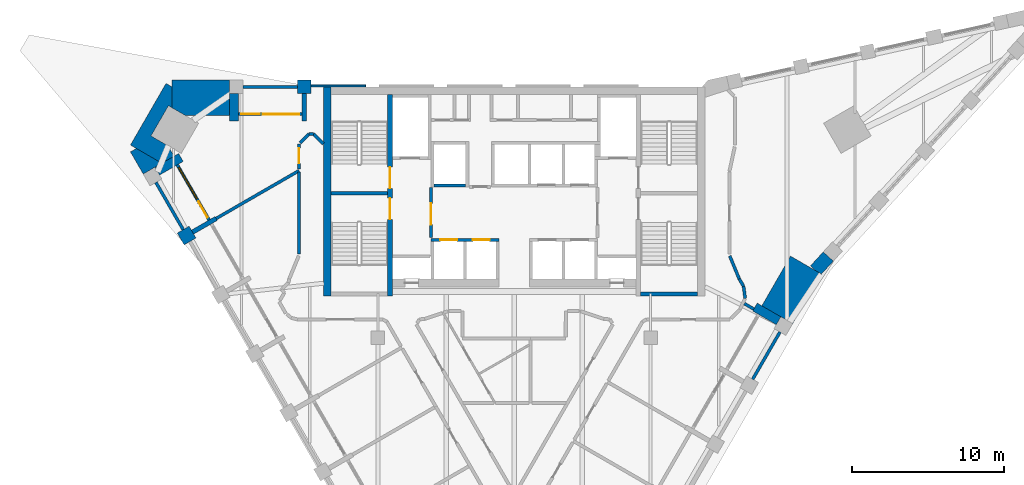
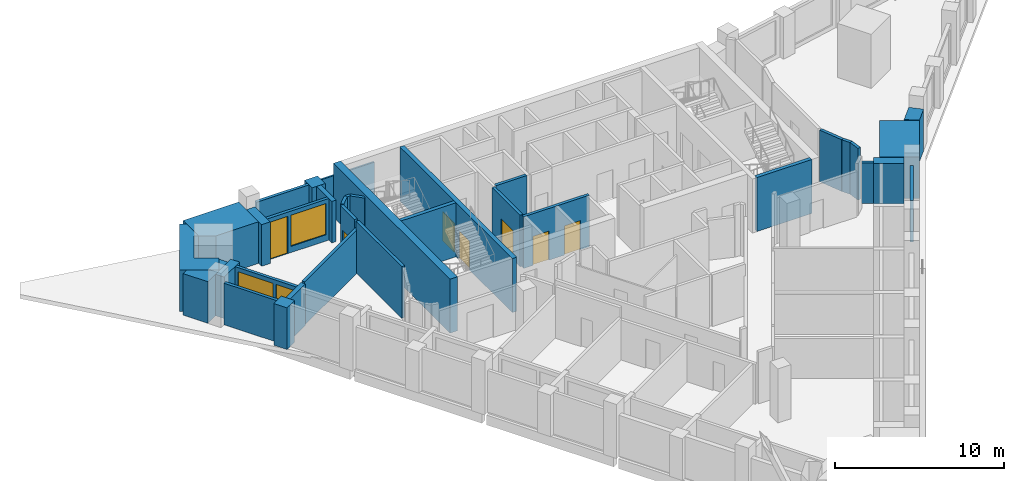
# One storey, part 5 of 9: 35 walls, 8 doors, 2 windows, 10 openings.
"""IFC4 building model written with IfcOpenShell, lengths in metres."""

from ifc_helpers import new_model, si_unit, direction, frame, frame_2d, origin, place, context, subcontext, project, spatial, polyline, rectangle, outline, extrude, material, layer, layer_set, type_object, element, fill, save


model = new_model("IFC4")

# Units and contexts
model_context = context("Model", 3, precision=1e-05, world=origin(), true_north=direction((0.0, 1.0)))
body_context = subcontext(model_context, "Body", "Model", "MODEL_VIEW")
ifc_project = project(units=[si_unit("LENGTHUNIT", "METRE"), si_unit("AREAUNIT", "SQUARE_METRE"), si_unit("VOLUMEUNIT", "CUBIC_METRE"), si_unit("PLANEANGLEUNIT", "RADIAN"), si_unit("MASSUNIT", "GRAM", prefix="KILO")], contexts=[model_context])

# Site, building, storey
site_placement = place(None, origin())
site = spatial("IfcSite", under=ifc_project, at=site_placement, CompositionType="ELEMENT")
building_placement = place(site_placement, origin())
building = spatial("IfcBuilding", under=site, at=building_placement, Name="Calabash Gate Tower", CompositionType="ELEMENT")
storey_placement = place(building_placement, frame((0.0, 0.0, 248.199951171875)))
storey = spatial("IfcBuildingStorey", under=building, at=storey_placement, Name="L59", CompositionType="ELEMENT", Elevation=248.199951171875)

# Walls
ifc_material_1 = material(Name="Terracotta brick masonry, exposed face", Category="masonry")
ifc_layer_1 = layer(ifc_material_1, 2.35009765625)
ifc_layer_set_1 = layer_set([ifc_layer_1], Name="Brick corner mass wall 2350")
wall_type_1 = type_object("IfcWallType", Name="Brick corner mass wall 2350", PredefinedType="SOLIDWALL", material=ifc_layer_set_1)
wall_1_placement = place(storey_placement, origin())
element("IfcWall", 1, at=wall_1_placement, inside=storey, type_object=wall_type_1, Name="Brick corner pier S17 2", PredefinedType="SOLIDWALL", context=body_context, shape_type="SweptSolid", body=[
    extrude(outline(polyline([(18.377685546875, 3.423828125), (18.377685546875, 3.423583984375), (18.377685546875, 3.423583984375), (20.271240234375, 6.703125), (18.236083984375, 7.878173828125), (16.342529296875, 4.5986328125), (17.598388671875, 3.873779296875), (17.598388671875, 3.873779296875), (18.377685546875, 3.423828125)])), origin(), (0.0, 0.0, 1.0), 2.9736328125),
])
wall_2_placement = place(storey_placement, origin())
element("IfcWall", 2, at=wall_2_placement, inside=storey, type_object=wall_type_1, Name="Brick corner pier S17 3a", PredefinedType="SOLIDWALL", context=body_context, shape_type="SweptSolid", body=[
    extrude(outline(polyline([(-21.698974609375, 17.152587890625), (-18.805419921875, 17.152587890625), (-18.805419921875, 19.50244140625), (-22.59228515625, 19.50244140625), (-22.59228515625, 17.66845703125), (-21.698974609375, 17.152587890625)])), origin(), (0.0, 0.0, 1.0), 3.0),
])
wall_3_placement = place(storey_placement, origin())
element("IfcWall", 3, at=wall_3_placement, inside=storey, type_object=wall_type_1, Name="Brick corner pier S17 3b", PredefinedType="SOLIDWALL", context=body_context, shape_type="SweptSolid", body=[
    extrude(outline(polyline([(-22.822021484375, 17.801025390625), (-22.59228515625, 17.66845703125), (-22.59228515625, 19.052490234375), (-22.98193359375, 19.277587890625), (-25.331298828125, 15.20849609375), (-23.296142578125, 14.033447265625), (-22.6962890625, 15.072509765625), (-23.971923828125, 15.80908203125), (-22.822021484375, 17.801025390625)])), origin(), (0.0, 0.0, 1.0), 3.0),
])
wall_4_placement = place(storey_placement, origin())
element("IfcWall", 4, at=wall_4_placement, inside=storey, type_object=wall_type_1, Name="Brick corner pier S17 3c", PredefinedType="SOLIDWALL", context=body_context, shape_type="SweptSolid", body=[
    extrude(outline(polyline([(-22.747802734375, 14.9833984375), (-23.296142578125, 14.033447265625), (-24.941650390625, 14.9833984375), (-25.331298828125, 14.758544921875), (-24.487548828125, 13.296875), (-22.452392578125, 14.471923828125), (-22.747802734375, 14.9833984375)])), origin(), (0.0, 0.0, 1.0), 3.0),
])
ifc_material_2 = material(Name="Terracotta brick masonry, exposed face", Category="masonry")
ifc_layer_2 = layer(ifc_material_2, 0.89990234375)
ifc_layer_set_2 = layer_set([ifc_layer_2], Name="Brick end wall 900")
wall_type_2 = type_object("IfcWallType", Name="Brick end wall 900", PredefinedType="SOLIDWALL", material=ifc_layer_set_2)
wall_5_placement = place(storey_placement, frame((-21.39794921875, 8.845458984375, 0.0), z_axis=(0.0, 0.0, 1.0), x_axis=(-0.50001992892, 0.866013897511, 0.0)))
element("IfcWall", 5, at=wall_5_placement, inside=storey, type_object=wall_type_2, Name="Brick pier S17 SW0.1", PredefinedType="SOLIDWALL", context=body_context, shape_type="SweptSolid", body=[
    extrude(rectangle(XDim=0.89990234375, YDim=0.89990234375, at=frame_2d((0.449951171875, 0.0))), origin(), (0.0, 0.0, 1.0), 3.0),
])
wall_6_placement = place(storey_placement, origin())
element("IfcWall", 6, at=wall_6_placement, inside=storey, type_object=wall_type_2, Name="Brick pier S17 N6.5", PredefinedType="SOLIDWALL", context=body_context, shape_type="SweptSolid", body=[
    extrude(outline(polyline([(-13.405517578125, 19.50244140625), (-14.305419921875, 19.50244140625), (-14.305419921875, 18.6025390625), (-13.405517578125, 18.6025390625), (-13.405517578125, 19.50244140625)])), origin(), (0.0, 0.0, 1.0), 3.0),
])
wall_7_placement = place(storey_placement, origin())
element("IfcWall", 7, at=wall_7_placement, inside=storey, type_object=wall_type_2, Name="Brick end wall S17 1", PredefinedType="SOLIDWALL", context=body_context, shape_type="SweptSolid", body=[
    extrude(outline(polyline([(20.394775390625, 8.15625), (19.54931640625, 7.23193359375), (19.88134765625, 6.92822265625), (20.271240234375, 6.703125), (20.24658203125, 6.66064453125), (21.058837890625, 7.548828125), (20.394775390625, 8.15625)])), origin(), (0.0, 0.0, 1.0), 3.0),
])
ifc_material_3 = material(Name="Terracotta brick masonry, exposed face", Category="masonry")
ifc_layer_3 = layer(ifc_material_3, 0.300048828125)
ifc_layer_set_3 = layer_set([ifc_layer_3], Name="Brick loggia cheek wall 300")
wall_type_3 = type_object("IfcWallType", Name="Brick loggia cheek wall 300", PredefinedType="SOLIDWALL", material=ifc_layer_set_3)
wall_8_placement = place(storey_placement, frame((-23.55810546875, 13.487060546875, 0.0), z_axis=(0.0, 0.0, 1.0), x_axis=(0.865989075817, 0.500062916607, 0.0)))
element("IfcWall", 8, at=wall_8_placement, inside=storey, type_object=wall_type_3, Name="Loggia cheek S17 SW0.0", PredefinedType="SOLIDWALL", context=body_context, shape_type="SweptSolid", body=[
    extrude(rectangle(XDim=1.800048828125, YDim=0.60009765625, at=frame_2d((0.89990234375, 0.0))), origin(), (0.0, 0.0, 1.0), 3.0),
])
wall_9_placement = place(storey_placement, frame((-21.233154296875, 9.460205078125, 0.0), z_axis=(0.0, 0.0, 1.0), x_axis=(0.866047807691, 0.499961193289, 0.0)))
element("IfcWall", 9, at=wall_9_placement, inside=storey, type_object=wall_type_3, Name="Loggia cheek S17 SW0.1", PredefinedType="SOLIDWALL", context=body_context, shape_type="SweptSolid", body=[
    extrude(rectangle(XDim=1.800048828125, YDim=0.300048828125, at=frame_2d((0.89990234375, 0.0))), origin(), (0.0, 0.0, 1.0), 3.0),
])
wall_10_placement = place(storey_placement, frame((17.4482421875, 3.61376953125, 0.0), z_axis=(0.0, 0.0, 1.0), x_axis=(-0.865989075817, 0.500062916607, 0.0)))
element("IfcWall", 10, at=wall_10_placement, inside=storey, type_object=wall_type_3, Name="Loggia cheek S17 SE2.6", PredefinedType="SOLIDWALL", context=body_context, shape_type="SweptSolid", body=[
    extrude(rectangle(XDim=1.800048828125, YDim=0.60009765625, at=frame_2d((0.89990234375, 0.0))), origin(), (0.0, 0.0, 1.0), 2.9501953125),
])
wall_11_placement = place(storey_placement, origin())
element("IfcWall", 11, at=wall_11_placement, inside=storey, type_object=wall_type_3, Name="Loggia cheek S17 N6.5", PredefinedType="SOLIDWALL", context=body_context, shape_type="SweptSolid", body=[
    extrude(outline(polyline([(-13.705322265625, 16.802490234375), (-13.705322265625, 18.6025390625), (-14.00537109375, 18.6025390625), (-14.00537109375, 16.802490234375), (-13.705322265625, 16.802490234375)])), origin(), (0.0, 0.0, 1.0), 3.0),
])
wall_12_placement = place(storey_placement, origin())
element("IfcWall", 12, at=wall_12_placement, inside=storey, type_object=wall_type_3, Name="Loggia cheek S17 N6.6", PredefinedType="SOLIDWALL", context=body_context, shape_type="SweptSolid", body=[
    extrude(outline(polyline([(-18.805419921875, 18.6025390625), (-18.805419921875, 16.802490234375), (-18.205322265625, 16.802490234375), (-18.205322265625, 18.6025390625), (-18.805419921875, 18.6025390625)])), origin(), (0.0, 0.0, 1.0), 3.0),
])
ifc_material_4 = material(Name="Concrete C60/75", Category="concrete")
ifc_layer_4 = layer(ifc_material_4, 0.25)
ifc_layer_set_4 = layer_set([ifc_layer_4], Name="Core wall 250 Concrete C60/75")
wall_type_4 = type_object("IfcWallType", Name="Core wall 250 Concrete C60/75", PredefinedType="SHEAR", material=ifc_layer_set_4)
for number, where, z_axis, x_axis, name in (
    (13, (-12.10009765625, 12.027587890625, 0.0), (0.0, 0.0, 1.0), (1.0, 0.0, 0.0), "Core wall Z5-MIDW L59"),
    (14, (8.35009765625, 5.377685546875, 0.0), (0.0, 0.0, 1.0), (1.0, 0.0, 0.0), "Core wall Z5-SSE L59"),
):
    element("IfcWall", number, at=place(storey_placement, frame(where, z_axis=z_axis, x_axis=x_axis)), inside=storey, type_object=wall_type_4, Name=name, PredefinedType="SHEAR", context=body_context, shape_type="SweptSolid", body=[
        extrude(rectangle(XDim=3.75, YDim=0.25, at=frame_2d((1.875, 0.0))), origin(), (0.0, 0.0, 1.0), 3.900146484375),
    ])

# Wall, openings, doors
ifc_material_5 = material(Name="Concrete C60/75", Category="concrete")
ifc_layer_5 = layer(ifc_material_5, 0.300048828125)
ifc_layer_set_5 = layer_set([ifc_layer_5], Name="Core wall 300 Concrete C60/75")
wall_type_5 = type_object("IfcWallType", Name="Core wall 300 Concrete C60/75", PredefinedType="SHEAR", material=ifc_layer_set_5)
wall_13_placement = place(storey_placement, frame((-8.199951171875, 5.252685546875, 0.0), z_axis=(0.0, 0.0, 1.0), x_axis=(0.0, 1.0, 0.0)))
wall_13 = element("IfcWall", 15, at=wall_13_placement, inside=storey, type_object=wall_type_5, Name="Core wall Z5-PARTW L59", PredefinedType="SHEAR", context=body_context, shape_type="SweptSolid", body=[
    extrude(rectangle(XDim=13.2998046875, YDim=0.300048828125, at=frame_2d((6.64990234375, 0.0))), origin(), (0.0, 0.0, 1.0), 3.900146484375),
])
opening_1_placement = place(wall_13_placement, frame((7.10009765625, 0.0, 0.0)))
opening_1 = element("IfcOpeningElement", 16, at=opening_1_placement, cuts=wall_13, Name="Opening O9-011", PredefinedType="OPENING", context=body_context, shape_type="SweptSolid", body=[
    extrude(rectangle(XDim=1.39990234375, YDim=2.10009765625, at=frame_2d((0.699951171875, 1.050048828125))), frame((0.0, 0.159912109375, 0.0), z_axis=(0.0, -1.0, 0.0), x_axis=(1.0, 0.0, 0.0)), (0.0, 0.0, 1.0), 0.320068359375),
])
opening_2_placement = place(wall_13_placement, frame((5.050048828125, 0.0, 0.0)))
opening_2 = element("IfcOpeningElement", 17, at=opening_2_placement, cuts=wall_13, Name="Opening O9-012", PredefinedType="OPENING", context=body_context, shape_type="SweptSolid", body=[
    extrude(rectangle(XDim=1.39990234375, YDim=2.10009765625, at=frame_2d((0.699951171875, 1.050048828125))), frame((0.0, 0.159912109375, 0.0), z_axis=(0.0, -1.0, 0.0), x_axis=(1.0, 0.0, 0.0)), (0.0, 0.0, 1.0), 0.320068359375),
])
ifc_material_6 = material(Name="Steel fire door set with fire-resisting glazing", Category="steel")
door_type_1 = type_object("IfcDoorType", Name="Fire door D05 1400x2100 FD90", OperationType="NOTDEFINED", PredefinedType="DOOR", material=ifc_material_6)
door_1_placement = place(opening_1_placement, origin())
door_1 = element("IfcDoor", 18, at=door_1_placement, inside=storey, type_object=door_type_1, Name="Exit stair door ST1", OperationType="SINGLE_SWING_LEFT", OverallHeight=2.10009765625, OverallWidth=1.39990234375, PredefinedType="DOOR", context=body_context, shape_type="SweptSolid", body=[
    extrude(rectangle(XDim=1.39990234375, YDim=2.10009765625, at=frame_2d((0.699951171875, 1.050048828125))), frame((0.0, 0.02490234375, 0.0), z_axis=(0.0, -1.0, 0.0), x_axis=(1.0, 0.0, 0.0)), (0.0, 0.0, 1.0), 0.050048828125),
])
fill(opening_1, door_1)
door_2_placement = place(opening_2_placement, origin())
door_2 = element("IfcDoor", 19, at=door_2_placement, inside=storey, type_object=door_type_1, Name="Exit stair door ST2", OperationType="SINGLE_SWING_LEFT", OverallHeight=2.10009765625, OverallWidth=1.39990234375, PredefinedType="DOOR", context=body_context, shape_type="SweptSolid", body=[
    extrude(rectangle(XDim=1.39990234375, YDim=2.10009765625, at=frame_2d((0.699951171875, 1.050048828125))), frame((0.0, 0.02490234375, 0.0), z_axis=(0.0, -1.0, 0.0), x_axis=(1.0, 0.0, 0.0)), (0.0, 0.0, 1.0), 0.050048828125),
])
fill(opening_2, door_2)

# Walls
ifc_material_7 = material(Name="Concrete C60/75", Category="concrete")
ifc_layer_6 = layer(ifc_material_7, 0.5)
ifc_layer_set_6 = layer_set([ifc_layer_6], Name="Core wall 500 Concrete C60/75")
wall_type_6 = type_object("IfcWallType", Name="Core wall 500 Concrete C60/75", PredefinedType="SHEAR", material=ifc_layer_set_6)
wall_14_placement = place(storey_placement, frame((-12.35009765625, 5.252685546875, 0.0), z_axis=(0.0, 0.0, 1.0), x_axis=(0.0, 1.0, 0.0)))
element("IfcWall", 20, at=wall_14_placement, inside=storey, type_object=wall_type_6, Name="Core wall Z5-COLW L59", PredefinedType="SHEAR", context=body_context, shape_type="SweptSolid", body=[
    extrude(rectangle(XDim=13.7998046875, YDim=0.5, at=frame_2d((6.89990234375, 0.0))), origin(), (0.0, 0.0, 1.0), 3.900146484375),
])
ifc_material_8 = material(Name="Gypsum board on steel studs, mineral wool", Category="steel")
ifc_layer_7 = layer(ifc_material_8, 0.199951171875)
ifc_layer_set_7 = layer_set([ifc_layer_7], Name="Partition 200 gypsum board EI 60")
wall_type_7 = type_object("IfcWallType", Name="Partition 200 gypsum board EI 60", PredefinedType="PARTITIONING", material=ifc_layer_set_7)
wall_15_placement = place(storey_placement, frame((15.189697265625, 4.74267578125, 0.0), z_axis=(0.0, 0.0, 1.0), x_axis=(0.867114884312, -0.498108198491, 0.0)))
element("IfcWall", 21, at=wall_15_placement, inside=storey, type_object=wall_type_7, Name="Partition", PredefinedType="PARTITIONING", context=body_context, shape_type="SweptSolid", body=[
    extrude(rectangle(XDim=0.720458984375, YDim=0.199951171875, at=frame_2d((0.3603515625, 0.0))), origin(), (0.0, 0.0, 1.0), 2.9501953125),
])
wall_16_placement = place(storey_placement, frame((15.137451171875, 5.88916015625, 0.0), z_axis=(0.0, 0.0, 1.0), x_axis=(0.130572336197, -0.991438785312, 0.0)))
element("IfcWall", 22, at=wall_16_placement, inside=storey, type_object=wall_type_7, Name="Partition", PredefinedType="PARTITIONING", context=body_context, shape_type="SweptSolid", body=[
    extrude(rectangle(XDim=0.803955078125, YDim=0.199951171875, at=frame_2d((0.40185546875, 0.0))), origin(), (0.0, 0.0, 1.0), 3.72998046875),
])
wall_17_placement = place(storey_placement, frame((14.8505859375, 6.37353515625, 0.0), z_axis=(0.0, 0.0, 1.0), x_axis=(0.509576505793, -0.860425351058, 0.0)))
element("IfcWall", 23, at=wall_17_placement, inside=storey, type_object=wall_type_7, Name="Partition", PredefinedType="PARTITIONING", context=body_context, shape_type="SweptSolid", body=[
    extrude(rectangle(XDim=0.56298828125, YDim=0.199951171875, at=frame_2d((0.281494140625, 0.0))), origin(), (0.0, 0.0, 1.0), 3.72998046875),
])
wall_18_placement = place(storey_placement, frame((14.22509765625, 7.892822265625, 0.0), z_axis=(0.0, 0.0, 1.0), x_axis=(0.380697489052, -0.924699638709, 0.0)))
element("IfcWall", 24, at=wall_18_placement, inside=storey, type_object=wall_type_7, Name="Partition", PredefinedType="PARTITIONING", context=body_context, shape_type="SweptSolid", body=[
    extrude(rectangle(XDim=1.64306640625, YDim=0.199951171875, at=frame_2d((0.821533203125, 0.0))), origin(), (0.0, 0.0, 1.0), 3.72998046875),
])
wall_19_placement = place(storey_placement, frame((-14.201904296875, 13.41943359375, 0.0), z_axis=(0.0, 0.0, 1.0), x_axis=(0.000271161919, -0.999999963236, 0.0)))
element("IfcWall", 25, at=wall_19_placement, inside=storey, type_object=wall_type_7, Name="Partition", PredefinedType="PARTITIONING", context=body_context, shape_type="SweptSolid", body=[
    extrude(rectangle(XDim=5.402099609375, YDim=0.199951171875, at=frame_2d((2.701171875, 0.0))), origin(), (0.0, 0.0, 1.0), 3.72998046875),
])
wall_20_placement = place(storey_placement, frame((-19.67431640625, 10.3603515625, 0.0), z_axis=(0.0, 0.0, 1.0), x_axis=(0.866038288688, 0.499977682029, 0.0)))
element("IfcWall", 26, at=wall_20_placement, inside=storey, type_object=wall_type_7, Name="Partition", PredefinedType="PARTITIONING", context=body_context, shape_type="SweptSolid", body=[
    extrude(rectangle(XDim=6.320556640625, YDim=0.199951171875, at=frame_2d((3.16015625, 0.0))), origin(), (0.0, 0.0, 1.0), 3.1279296875),
])

# Wall, opening, door
wall_21_placement = place(storey_placement, frame((-14.200439453125, 13.62060546875, 0.0), z_axis=(0.0, 0.0, 1.0), x_axis=(0.0, 1.0, 0.0)))
wall_21 = element("IfcWall", 27, at=wall_21_placement, inside=storey, type_object=wall_type_7, Name="Partition", PredefinedType="PARTITIONING", context=body_context, shape_type="SweptSolid", body=[
    extrude(rectangle(XDim=1.67236328125, YDim=0.199951171875, at=frame_2d((0.836181640625, 0.0))), origin(), (0.0, 0.0, 1.0), 3.72998046875),
])
opening_3_placement = place(wall_21_placement, frame((0.385009765625, 0.0, 0.0)))
opening_3 = element("IfcOpeningElement", 28, at=opening_3_placement, cuts=wall_21, Name="Opening 59-61-009", PredefinedType="OPENING", context=body_context, shape_type="SweptSolid", body=[
    extrude(rectangle(XDim=1.0, YDim=2.10009765625, at=frame_2d((0.5, 1.050048828125))), frame((0.0, 0.10986328125, 0.0), z_axis=(0.0, -1.0, 0.0), x_axis=(1.0, 0.0, 0.0)), (0.0, 0.0, 1.0), 0.219970703125),
])
ifc_material_9 = material(Name="Steel fire door set with fire-resisting glazing", Category="steel")
door_type_2 = type_object("IfcDoorType", Name="LD2 Meeting room door 1000x2100", OperationType="NOTDEFINED", PredefinedType="DOOR", material=ifc_material_9)
door_3_placement = place(opening_3_placement, origin())
door_3 = element("IfcDoor", 29, at=door_3_placement, inside=storey, type_object=door_type_2, Name="Meeting room door", OperationType="SINGLE_SWING_LEFT", OverallHeight=2.10009765625, OverallWidth=1.0, PredefinedType="DOOR", context=body_context, shape_type="SweptSolid", body=[
    extrude(rectangle(XDim=1.0, YDim=2.10009765625, at=frame_2d((0.5, 1.050048828125))), frame((0.0, 0.02490234375, 0.0), z_axis=(0.0, -1.0, 0.0), x_axis=(1.0, 0.0, 0.0)), (0.0, 0.0, 1.0), 0.050048828125),
])
fill(opening_3, door_3)

# Walls
wall_22_placement = place(storey_placement, frame((-14.129638671875, 15.363525390625, 0.0), z_axis=(0.0, 0.0, 1.0), x_axis=(0.707106781187, 0.707106781187, 0.0)))
element("IfcWall", 30, at=wall_22_placement, inside=storey, type_object=wall_type_7, Name="Partition", PredefinedType="PARTITIONING", context=body_context, shape_type="SweptSolid", body=[
    extrude(rectangle(XDim=0.833740234375, YDim=0.199951171875, at=frame_2d((0.4169921875, 0.0))), origin(), (0.0, 0.0, 1.0), 3.72998046875),
])
wall_23_placement = place(storey_placement, frame((-13.5400390625, 15.953125, 0.0), z_axis=(0.0, 0.0, 1.0), x_axis=(0.99999962061, -0.000871079809, 0.0)))
element("IfcWall", 31, at=wall_23_placement, inside=storey, type_object=wall_type_7, Name="Partition", PredefinedType="PARTITIONING", context=body_context, shape_type="SweptSolid", body=[
    extrude(rectangle(XDim=0.2802734375, YDim=0.199951171875, at=frame_2d((0.14013671875, 0.0))), origin(), (0.0, 0.0, 1.0), 3.72998046875),
])
wall_24_placement = place(storey_placement, frame((-13.259765625, 15.952880859375, 0.0), z_axis=(0.0, 0.0, 1.0), x_axis=(0.708285399161, -0.705926195389, 0.0)))
element("IfcWall", 32, at=wall_24_placement, inside=storey, type_object=wall_type_7, Name="Partition", PredefinedType="PARTITIONING", context=body_context, shape_type="SweptSolid", body=[
    extrude(rectangle(XDim=0.931396484375, YDim=0.199951171875, at=frame_2d((0.4658203125, 0.0))), origin(), (0.0, 0.0, 1.0), 3.72998046875),
])

# Wall, openings, doors
ifc_material_10 = material(Name="Concrete C40/50", Category="concrete")
ifc_layer_8 = layer(ifc_material_10, 0.199951171875)
ifc_layer_set_8 = layer_set([ifc_layer_8], Name="Shaft wall 200 Concrete C40/50")
wall_type_8 = type_object("IfcWallType", Name="Shaft wall 200 Concrete C40/50", PredefinedType="SOLIDWALL", material=ifc_layer_set_8)
wall_25_placement = place(storey_placement, frame((-5.5, 8.95263671875, 0.0), z_axis=(0.0, 0.0, 1.0), x_axis=(1.0, 0.0, 0.0)))
wall_25 = element("IfcWall", 33, at=wall_25_placement, inside=storey, type_object=wall_type_8, Name="Shaft wall", PredefinedType="SOLIDWALL", context=body_context, shape_type="SweptSolid", body=[
    extrude(rectangle(XDim=4.5, YDim=0.199951171875, at=frame_2d((2.25, 0.0))), origin(), (0.0, 0.0, 1.0), 3.72998046875),
])
opening_4_placement = place(wall_25_placement, frame((0.625, 0.0, 0.0)))
opening_4 = element("IfcOpeningElement", 34, at=opening_4_placement, cuts=wall_25, Name="Opening LD-HR1", PredefinedType="OPENING", context=body_context, shape_type="SweptSolid", body=[
    extrude(rectangle(XDim=1.10009765625, YDim=2.10009765625, at=frame_2d((0.550048828125, 1.050048828125))), frame((0.0, 0.10986328125, 0.0), z_axis=(0.0, -1.0, 0.0), x_axis=(1.0, 0.0, 0.0)), (0.0, 0.0, 1.0), 0.219970703125),
])
opening_5_placement = place(wall_25_placement, frame((2.77490234375, 0.0, 0.0)))
opening_5 = element("IfcOpeningElement", 35, at=opening_5_placement, cuts=wall_25, Name="Opening LD-HR2", PredefinedType="OPENING", context=body_context, shape_type="SweptSolid", body=[
    extrude(rectangle(XDim=1.10009765625, YDim=2.10009765625, at=frame_2d((0.550048828125, 1.050048828125))), frame((0.0, 0.10986328125, 0.0), z_axis=(0.0, -1.0, 0.0), x_axis=(1.0, 0.0, 0.0)), (0.0, 0.0, 1.0), 0.219970703125),
])
ifc_material_11 = material(Name="Stainless steel sliding door leaves", Category="steel")
door_type_3 = type_object("IfcDoorType", Name="Lift landing door LS1 1100x2100 FD90", OperationType="DOUBLE_DOOR_SLIDING", PredefinedType="DOOR", material=ifc_material_11)
door_4_placement = place(opening_4_placement, origin())
door_4 = element("IfcDoor", 36, at=door_4_placement, inside=storey, type_object=door_type_3, Name="Lift landing door HR1", OperationType="DOUBLE_DOOR_SLIDING", OverallHeight=2.10009765625, OverallWidth=1.10009765625, PredefinedType="DOOR", context=body_context, shape_type="SweptSolid", body=[
    extrude(rectangle(XDim=1.10009765625, YDim=2.10009765625, at=frame_2d((0.550048828125, 1.050048828125))), frame((0.0, 0.02490234375, 0.0), z_axis=(0.0, -1.0, 0.0), x_axis=(1.0, 0.0, 0.0)), (0.0, 0.0, 1.0), 0.050048828125),
])
fill(opening_4, door_4)
door_5_placement = place(opening_5_placement, origin())
door_5 = element("IfcDoor", 37, at=door_5_placement, inside=storey, type_object=door_type_3, Name="Lift landing door HR2", OperationType="DOUBLE_DOOR_SLIDING", OverallHeight=2.10009765625, OverallWidth=1.10009765625, PredefinedType="DOOR", context=body_context, shape_type="SweptSolid", body=[
    extrude(rectangle(XDim=1.10009765625, YDim=2.10009765625, at=frame_2d((0.550048828125, 1.050048828125))), frame((0.0, 0.02490234375, 0.0), z_axis=(0.0, -1.0, 0.0), x_axis=(1.0, 0.0, 0.0)), (0.0, 0.0, 1.0), 0.050048828125),
])
fill(opening_5, door_5)

# Wall, opening, door
wall_26_placement = place(storey_placement, frame((-5.5, 9.1025390625, 0.0), z_axis=(0.0, 0.0, 1.0), x_axis=(0.0, 1.0, 0.0)))
wall_26 = element("IfcWall", 38, at=wall_26_placement, inside=storey, type_object=wall_type_8, Name="Shaft wall", PredefinedType="SOLIDWALL", context=body_context, shape_type="SweptSolid", body=[
    extrude(rectangle(XDim=3.300048828125, YDim=0.199951171875, at=frame_2d((1.64990234375, 0.0))), origin(), (0.0, 0.0, 1.0), 3.72998046875),
])
opening_6_placement = place(wall_26_placement, frame((0.85009765625, 0.0, 0.0)))
opening_6 = element("IfcOpeningElement", 39, at=opening_6_placement, cuts=wall_26, Name="Opening O9-003", PredefinedType="OPENING", context=body_context, shape_type="SweptSolid", body=[
    extrude(rectangle(XDim=1.39990234375, YDim=2.10009765625, at=frame_2d((0.699951171875, 1.050048828125))), frame((0.0, 0.10986328125, 0.0), z_axis=(0.0, -1.0, 0.0), x_axis=(1.0, 0.0, 0.0)), (0.0, 0.0, 1.0), 0.219970703125),
])
door_6_placement = place(opening_6_placement, origin())
door_6 = element("IfcDoor", 40, at=door_6_placement, inside=storey, type_object=door_type_1, Name="Firefighting Lobby W door", OperationType="SINGLE_SWING_RIGHT", OverallHeight=2.10009765625, OverallWidth=1.39990234375, PredefinedType="DOOR", context=body_context, shape_type="SweptSolid", body=[
    extrude(rectangle(XDim=1.39990234375, YDim=2.10009765625, at=frame_2d((0.699951171875, 1.050048828125))), frame((0.0, 0.02490234375, 0.0), z_axis=(0.0, -1.0, 0.0), x_axis=(1.0, 0.0, 0.0)), (0.0, 0.0, 1.0), 0.050048828125),
])
fill(opening_6, door_6)

# Walls
wall_27_placement = place(storey_placement, frame((-5.300048828125, 12.552490234375, 0.0), z_axis=(0.0, 0.0, 1.0), x_axis=(1.0, 0.0, 0.0)))
element("IfcWall", 41, at=wall_27_placement, inside=storey, type_object=wall_type_8, Name="Shaft wall", PredefinedType="SOLIDWALL", context=body_context, shape_type="SweptSolid", body=[
    extrude(rectangle(XDim=2.10009765625, YDim=0.199951171875, at=frame_2d((1.050048828125, 0.0))), origin(), (0.0, 0.0, 1.0), 3.72998046875),
])
ifc_material_12 = material(Name="Terracotta brick masonry, perforated", Category="masonry")
ifc_layer_9 = layer(ifc_material_12, 0.1201171875)
ifc_layer_set_9 = layer_set([ifc_layer_9], Name="Terracotta jaali cladding A 120")
wall_type_9 = type_object("IfcWallType", Name="Terracotta jaali cladding A 120", PredefinedType="SOLIDWALL", material=ifc_layer_set_9)
wall_28_placement = place(storey_placement, origin())
element("IfcWall", 42, at=wall_28_placement, inside=storey, type_object=wall_type_9, Name="Jaali cladding S17 N6.5", PredefinedType="SOLIDWALL", context=body_context, shape_type="SweptSolid", body=[
    extrude(outline(polyline([(-13.405029296875, 19.172607421875), (-13.405029296875, 19.052490234375), (-9.805419921875, 19.052490234375), (-9.805419921875, 19.172607421875), (-13.405029296875, 19.172607421875)])), origin(), (0.0, 0.0, 1.0), 3.0),
])
ifc_material_13 = material(Name="Terracotta brick masonry, perforated", Category="masonry")
ifc_layer_10 = layer(ifc_material_13, 0.199951171875)
ifc_layer_set_10 = layer_set([ifc_layer_10], Name="Terracotta jaali screen A")
wall_type_10 = type_object("IfcWallType", Name="Terracotta jaali screen A", PredefinedType="SOLIDWALL", material=ifc_layer_set_10)
for number, where, z_axis, x_axis, name in (
    (43, (-23.64794921875, 12.742431640625, 0.0), (0.0, 0.0, 1.0), (0.500012057535, -0.866018442252, 0.0), "SCREEN A S17 SW0.1"),
    (44, (15.738037109375, -0.24853515625, 0.0), (0.0, 0.0, 1.0), (0.500012057535, 0.866018442252, 0.0), "SCREEN A S17 SE2.6"),
):
    element("IfcWall", number, at=place(storey_placement, frame(where, z_axis=z_axis, x_axis=x_axis)), inside=storey, type_object=wall_type_10, Name=name, PredefinedType="SOLIDWALL", context=body_context, shape_type="SweptSolid", body=[
        extrude(rectangle(XDim=3.60009765625, YDim=0.199951171875, at=frame_2d((1.800048828125, 0.0))), origin(), (0.0, 0.0, 1.0), 3.0),
    ])
wall_29_placement = place(storey_placement, origin())
element("IfcWall", 45, at=wall_29_placement, inside=storey, type_object=wall_type_10, Name="SCREEN A S17 N6.6", PredefinedType="SOLIDWALL", context=body_context, shape_type="SweptSolid", body=[
    extrude(outline(polyline([(-14.305419921875, 19.152587890625), (-17.903076171875, 19.152587890625), (-17.903076171875, 18.95263671875), (-14.305419921875, 18.95263671875), (-14.305419921875, 19.152587890625)])), origin(), (0.0, 0.0, 1.0), 3.0),
])

# Wall, openings, door, window
ifc_material_14 = material(Name="Aluminium framed window wall with insulated spandrel", Category="aluminium")
ifc_layer_11 = layer(ifc_material_14, 0.199951171875)
ifc_layer_set_11 = layer_set([ifc_layer_11], Name="Window wall 200")
wall_type_11 = type_object("IfcWallType", Name="Window wall 200", PredefinedType="ELEMENTEDWALL", material=ifc_layer_set_11)
wall_30_placement = place(storey_placement, frame((-22.239013671875, 13.90234375, 0.0), z_axis=(0.0, 0.0, 1.0), x_axis=(0.500027713859, -0.866009402589, 0.0)))
wall_30 = element("IfcWall", 46, at=wall_30_placement, inside=storey, type_object=wall_type_11, Name="Window wall S17 SW0.1", PredefinedType="ELEMENTEDWALL", context=body_context, shape_type="SweptSolid", body=[
    extrude(rectangle(XDim=4.199951171875, YDim=0.199951171875, at=frame_2d((2.10009765625, 0.0))), origin(), (0.0, 0.0, 1.0), 3.0),
])
opening_7_placement = place(wall_30_placement, frame((0.199951171875, 0.0, 0.449951171875)))
opening_7 = element("IfcOpeningElement", 47, at=opening_7_placement, cuts=wall_30, Name="Opening OW1", PredefinedType="OPENING", context=body_context, shape_type="SweptSolid", body=[
    extrude(rectangle(XDim=2.39990234375, YDim=2.25, at=frame_2d((1.199951171875, 1.125))), frame((0.0, 0.10986328125, 0.0), z_axis=(0.0, -1.0, 0.0), x_axis=(1.0, 0.0, 0.0)), (0.0, 0.0, 1.0), 0.219970703125),
])
opening_8_placement = place(wall_30_placement, frame((2.800048828125, 0.0, 0.0)))
opening_8 = element("IfcOpeningElement", 48, at=opening_8_placement, cuts=wall_30, Name="Opening O9-017", PredefinedType="OPENING", context=body_context, shape_type="SweptSolid", body=[
    extrude(rectangle(XDim=1.199951171875, YDim=2.699951171875, at=frame_2d((0.60009765625, 1.35009765625))), frame((0.0, 0.10986328125, 0.0), z_axis=(0.0, -1.0, 0.0), x_axis=(1.0, 0.0, 0.0)), (0.0, 0.0, 1.0), 0.219970703125),
])
ifc_material_15 = material(Name="Anodised aluminium frame, bronze finish, impact-rated laminated clear glazing", Category="aluminium")
door_type_4 = type_object("IfcDoorType", Name="Loggia door DO1 1200x2700", OperationType="SLIDING_TO_LEFT", PredefinedType="DOOR", material=ifc_material_15)
door_7_placement = place(opening_8_placement, origin())
door_7 = element("IfcDoor", 49, at=door_7_placement, inside=storey, type_object=door_type_4, Name="Loggia door S17 SW0.1", OperationType="SINGLE_SWING_LEFT", OverallHeight=2.699951171875, OverallWidth=1.199951171875, PredefinedType="DOOR", context=body_context, shape_type="SweptSolid", body=[
    extrude(rectangle(XDim=1.199951171875, YDim=2.699951171875, at=frame_2d((0.60009765625, 1.35009765625))), frame((0.0, 0.02490234375, 0.0), z_axis=(0.0, -1.0, 0.0), x_axis=(1.0, 0.0, 0.0)), (0.0, 0.0, 1.0), 0.050048828125),
])
fill(opening_8, door_7)
ifc_material_16 = material(Name="Anodised aluminium frame, bronze finish, impact-rated laminated clear glazing", Category="aluminium")
window_type = type_object("IfcWindowType", Name="Window OW1 2400x2250", PartitioningType="DOUBLE_PANEL_VERTICAL", PredefinedType="WINDOW", material=ifc_material_16)
window_1_placement = place(opening_7_placement, origin())
window_1 = element("IfcWindow", 50, at=window_1_placement, inside=storey, type_object=window_type, Name="Window OW1 S17 SW0.1", OverallHeight=2.25, OverallWidth=2.39990234375, PartitioningType="SINGLE_PANEL", PredefinedType="WINDOW", context=body_context, shape_type="SweptSolid", body=[
    extrude(rectangle(XDim=2.39990234375, YDim=2.25, at=frame_2d((1.199951171875, 1.125))), frame((0.0, 0.030029296875, 0.0), z_axis=(0.0, -1.0, 0.0), x_axis=(1.0, 0.0, 0.0)), (0.0, 0.0, 1.0), 0.06005859375),
])
fill(opening_7, window_1)

wall_31_placement = place(storey_placement, frame((-14.00537109375, 17.25244140625, 0.0), z_axis=(0.0, 0.0, 1.0), x_axis=(-1.0, 0.0, 0.0)))
wall_31 = element("IfcWall", 51, at=wall_31_placement, inside=storey, type_object=wall_type_11, Name="Window wall S17 N6.6", PredefinedType="ELEMENTEDWALL", context=body_context, shape_type="SweptSolid", body=[
    extrude(rectangle(XDim=4.199951171875, YDim=0.199951171875, at=frame_2d((2.10009765625, 0.0))), origin(), (0.0, 0.0, 1.0), 3.0),
])
opening_9_placement = place(wall_31_placement, frame((0.199951171875, 0.0, 0.449951171875)))
opening_9 = element("IfcOpeningElement", 52, at=opening_9_placement, cuts=wall_31, Name="Opening OW1", PredefinedType="OPENING", context=body_context, shape_type="SweptSolid", body=[
    extrude(rectangle(XDim=2.39990234375, YDim=2.25, at=frame_2d((1.199951171875, 1.125))), frame((0.0, 0.10986328125, 0.0), z_axis=(0.0, -1.0, 0.0), x_axis=(1.0, 0.0, 0.0)), (0.0, 0.0, 1.0), 0.219970703125),
])
opening_10_placement = place(wall_31_placement, frame((2.800048828125, 0.0, 0.0)))
opening_10 = element("IfcOpeningElement", 53, at=opening_10_placement, cuts=wall_31, Name="Opening O9-015", PredefinedType="OPENING", context=body_context, shape_type="SweptSolid", body=[
    extrude(rectangle(XDim=1.199951171875, YDim=2.699951171875, at=frame_2d((0.60009765625, 1.35009765625))), frame((0.0, 0.10986328125, 0.0), z_axis=(0.0, -1.0, 0.0), x_axis=(1.0, 0.0, 0.0)), (0.0, 0.0, 1.0), 0.219970703125),
])
door_8_placement = place(opening_10_placement, origin())
door_8 = element("IfcDoor", 54, at=door_8_placement, inside=storey, type_object=door_type_4, Name="Loggia door S17 N6.6", OperationType="SINGLE_SWING_LEFT", OverallHeight=2.699951171875, OverallWidth=1.199951171875, PredefinedType="DOOR", context=body_context, shape_type="SweptSolid", body=[
    extrude(rectangle(XDim=1.199951171875, YDim=2.699951171875, at=frame_2d((0.60009765625, 1.35009765625))), frame((0.0, 0.02490234375, 0.0), z_axis=(0.0, -1.0, 0.0), x_axis=(1.0, 0.0, 0.0)), (0.0, 0.0, 1.0), 0.050048828125),
])
fill(opening_10, door_8)
window_2_placement = place(opening_9_placement, origin())
window_2 = element("IfcWindow", 55, at=window_2_placement, inside=storey, type_object=window_type, Name="Window OW1 S17 N6.6", OverallHeight=2.25, OverallWidth=2.39990234375, PartitioningType="SINGLE_PANEL", PredefinedType="WINDOW", context=body_context, shape_type="SweptSolid", body=[
    extrude(rectangle(XDim=2.39990234375, YDim=2.25, at=frame_2d((1.199951171875, 1.125))), frame((0.0, 0.030029296875, 0.0), z_axis=(0.0, -1.0, 0.0), x_axis=(1.0, 0.0, 0.0)), (0.0, 0.0, 1.0), 0.06005859375),
])
fill(opening_9, window_2)

save(model, "model.ifc")
